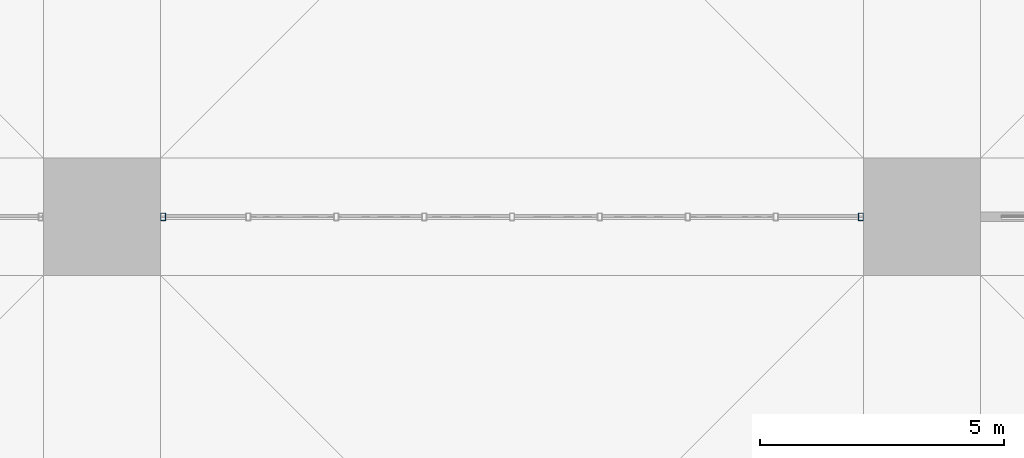
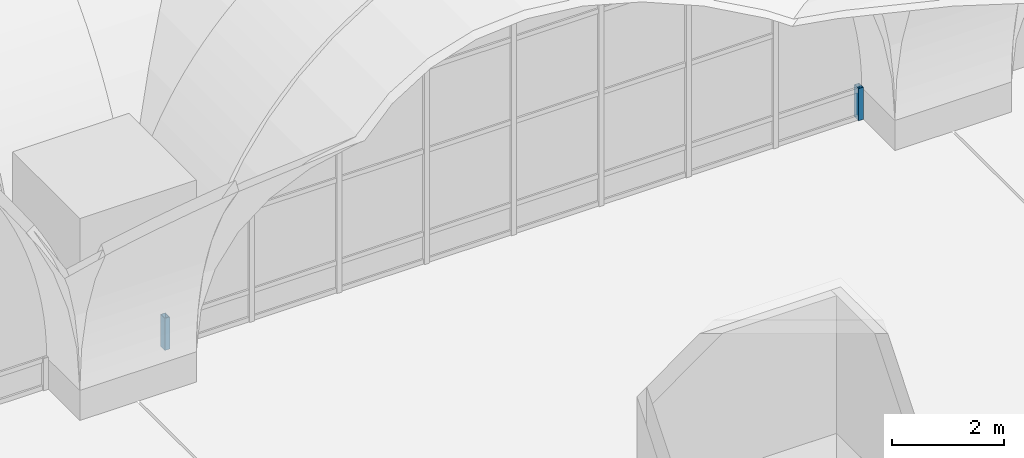
# One storey, part 66 of 169: 2 members, 1 element without a shape of its own.
"""IFC4 building model written with IfcOpenShell, lengths in metres."""

from ifc_helpers import new_model, si_unit, direction, frame, origin, origin_2d, place, context, subcontext, project, spatial, hollow_rectangle, extrude, material, layer, layer_set, material_profile, profile_set, type_object, element, aggregate, save


model = new_model("IFC4")

# Units and contexts
model_context = context("Model", 3, precision=1e-05, world=origin(), true_north=direction((0.0, 1.0)))
body_context = subcontext(model_context, "Body", "Model", "MODEL_VIEW")
ifc_project = project(units=[si_unit("LENGTHUNIT", "METRE"), si_unit("AREAUNIT", "SQUARE_METRE"), si_unit("VOLUMEUNIT", "CUBIC_METRE"), si_unit("PLANEANGLEUNIT", "RADIAN"), si_unit("MASSUNIT", "GRAM", prefix="KILO")], contexts=[model_context])

# Site, building, storey
site_placement = place(None, origin())
site = spatial("IfcSite", under=ifc_project, at=site_placement, CompositionType="ELEMENT")
building_placement = place(site_placement, origin())
building = spatial("IfcBuilding", under=site, at=building_placement, Name="Verrick Yard Athletic Hall", CompositionType="ELEMENT")
storey_placement = place(building_placement, frame((0.0, 0.0, 4.39990234375)))
storey = spatial("IfcBuildingStorey", under=building, at=storey_placement, Name="L01", CompositionType="ELEMENT", Elevation=4.39990234375)

# Curtain wall, members
ifc_material_1 = material(Name="Aluminium and glass curtain wall", Category="aluminium")
ifc_layer = layer(ifc_material_1, 0.14990234375)
ifc_layer_set = layer_set([ifc_layer], Name="Concourse arch screen")
curtain_wall_type = type_object("IfcCurtainWallType", Name="Concourse arch screen", PredefinedType="NOTDEFINED", material=ifc_layer_set)
curtain_wall_placement = place(storey_placement, origin())
curtain_wall = element("IfcCurtainWall", 1, at=curtain_wall_placement, inside=storey, type_object=curtain_wall_type, Name="Concourse screen 3", PredefinedType="NOTDEFINED")
ifc_material_2 = material(Name="Structural steel HSS Class C 350W (CSA G40.20/G40.21)", Category="steel")
ifc_material_profile = material_profile(ifc_material_2, hollow_rectangle(XDim=0.1015625, YDim=0.15234375, WallThickness=0.008056640625, at=origin_2d()), Name="HSS152x102x7.9")
ifc_profile_set = profile_set([ifc_material_profile], Name="Structural steel HSS Class C 350W (CSA G40.20/G40.21)")
member_type = type_object("IfcMemberType", Name="Curtain wall mullion HSS152x102x7.9", PredefinedType="MULLION", material=ifc_profile_set)
member_1_placement = place(storey_placement, frame((74.851318359375, 36.0, 0.0), z_axis=(0.0, 0.0, 1.0), x_axis=(1.0, 0.0, 0.0)))
member_1 = element("IfcMember", 2, at=member_1_placement, type_object=member_type, Name="Concourse screen 3 mullion 1", PredefinedType="MULLION", context=body_context, shape_type="SweptSolid", body=[
    extrude(hollow_rectangle(XDim=0.1015625, YDim=0.15234375, WallThickness=0.008056640625, at=origin_2d()), origin(), (0.0, 0.0, 1.0), 0.700927734375),
])
member_2_placement = place(storey_placement, frame((89.148681640625, 36.0, 0.0), z_axis=(0.0, 0.0, 1.0), x_axis=(1.0, 0.0, 0.0)))
member_2 = element("IfcMember", 3, at=member_2_placement, type_object=member_type, Name="Concourse screen 3 mullion 9", PredefinedType="MULLION", context=body_context, shape_type="SweptSolid", body=[
    extrude(hollow_rectangle(XDim=0.1015625, YDim=0.15234375, WallThickness=0.008056640625, at=origin_2d()), origin(), (0.0, 0.0, 1.0), 0.700927734375),
])
aggregate(curtain_wall, [member_1, member_2])

save(model, "model.ifc")
